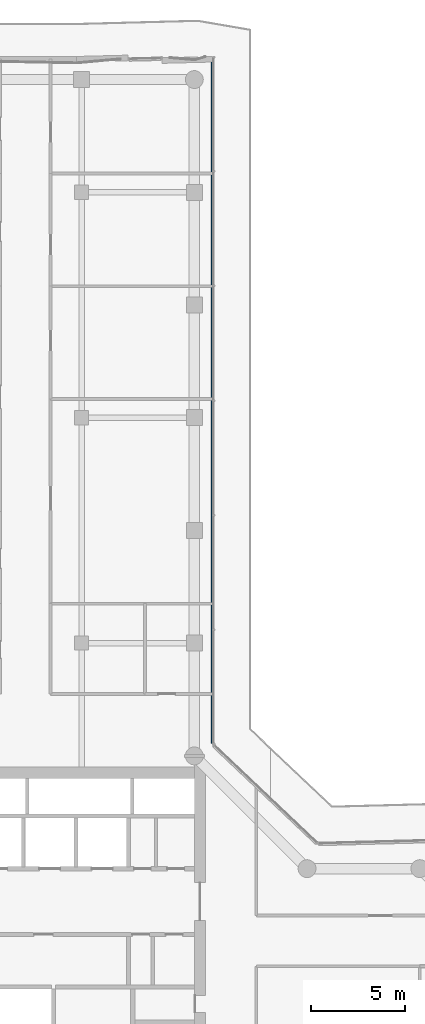
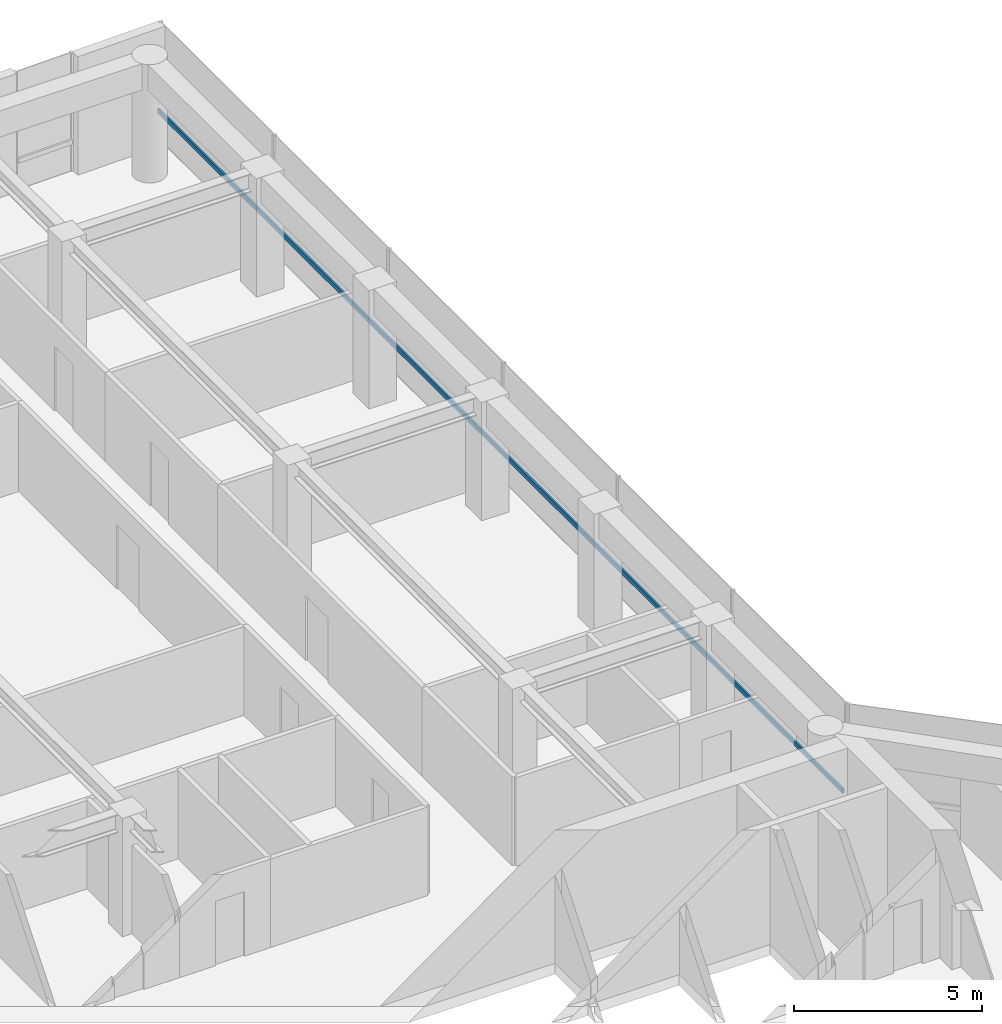
# One storey, part 12 of 20: 1 member, 1 element without a shape of its own.
"""IFC4 building model written with IfcOpenShell, lengths in metres."""

from ifc_helpers import new_model, si_unit, direction, frame, origin, origin_2d, place, context, subcontext, project, spatial, rectangle, extrude, material, layer, layer_set, material_profile, profile_set, type_object, element, aggregate, save


model = new_model("IFC4")

# Units and contexts
model_context = context("Model", 3, precision=1e-05, world=origin(), true_north=direction((0.0, 1.0)))
body_context = subcontext(model_context, "Body", "Model", "MODEL_VIEW")
ifc_project = project(units=[si_unit("LENGTHUNIT", "METRE"), si_unit("AREAUNIT", "SQUARE_METRE"), si_unit("VOLUMEUNIT", "CUBIC_METRE"), si_unit("PLANEANGLEUNIT", "RADIAN"), si_unit("MASSUNIT", "GRAM", prefix="KILO")], contexts=[model_context])

# Site, building, storey
site_placement = place(None, origin())
site = spatial("IfcSite", under=ifc_project, at=site_placement, CompositionType="ELEMENT")
building_placement = place(site_placement, origin())
building = spatial("IfcBuilding", under=site, at=building_placement, Name="Welwitschia Terrace Campus", CompositionType="ELEMENT")
storey_placement = place(building_placement, frame((0.0, 0.0, 176.0)))
storey = spatial("IfcBuildingStorey", under=building, at=storey_placement, Name="L39", CompositionType="ELEMENT", Elevation=176.0)

# Curtain wall, member
ifc_material_1 = material(Name="Bronze anodised aluminium", Category="aluminium")
ifc_layer = layer(ifc_material_1, 0.1201171875)
ifc_layer_set = layer_set([ifc_layer], Name="Bronze anodised aluminium")
curtain_wall_type = type_object("IfcCurtainWallType", Name="Curtain wall CW2 tower 6000", PredefinedType="NOTDEFINED", material=ifc_layer_set)
curtain_wall_placement = place(storey_placement, origin())
curtain_wall = element("IfcCurtainWall", 1, at=curtain_wall_placement, inside=storey, type_object=curtain_wall_type, Name="CW L39.9.0", PredefinedType="NOTDEFINED")
ifc_material_2 = material(Name="Bronze anodised aluminium", Category="aluminium")
ifc_material_profile = material_profile(ifc_material_2, rectangle(XDim=0.06005859375, YDim=0.14990234375, at=origin_2d()))
ifc_profile_set = profile_set([ifc_material_profile], Name="Bronze anodised aluminium")
member_type = type_object("IfcMemberType", Name="Transom 60x150", PredefinedType="USERDEFINED", material=ifc_profile_set)
member_placement = place(storey_placement, frame((24.93994140625, 26.663330078125, 1.0), z_axis=(0.0, 1.0, 0.0), x_axis=(-1.0, 0.0, 0.0)))
member = element("IfcMember", 2, at=member_placement, type_object=member_type, Name="Transom L39.9.0", ObjectType="TRANSOM", PredefinedType="USERDEFINED", context=body_context, shape_type="SweptSolid", body=[
    extrude(rectangle(XDim=0.06005859375, YDim=0.14990234375, at=origin_2d()), origin(), (0.0, 0.0, 1.0), 36.497802734375),
])
aggregate(curtain_wall, [member])

save(model, "model.ifc")
